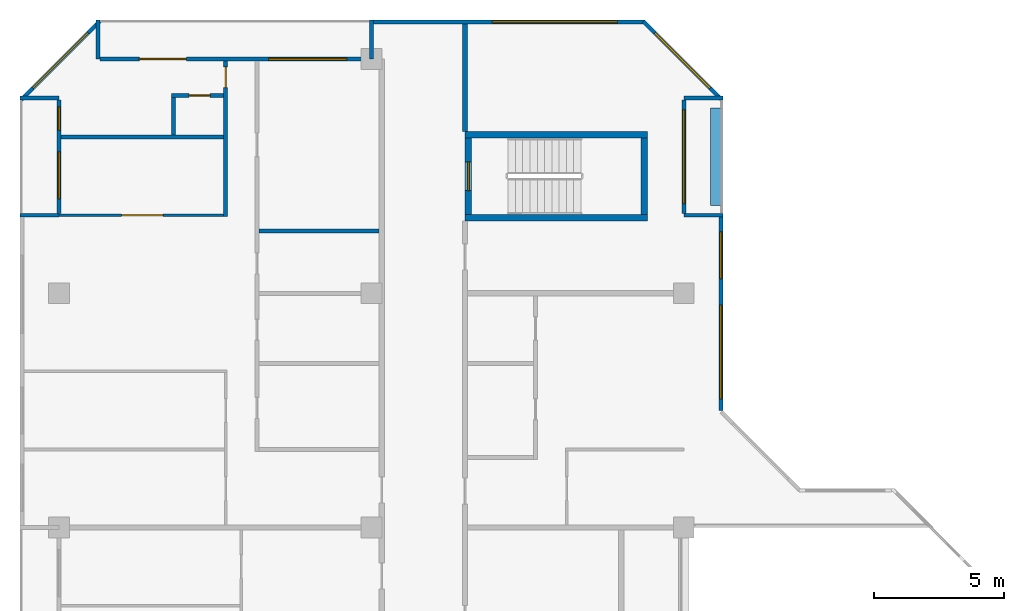
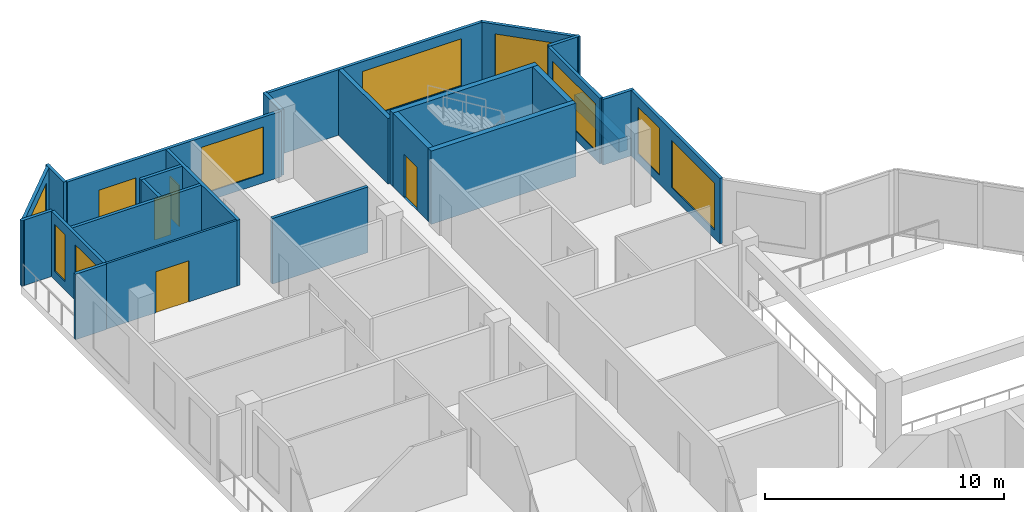
# One storey, part 10 of 13: 25 walls, 9 windows, 5 doors, 14 openings.
"""IFC4 building model written with IfcOpenShell, lengths in metres."""

from ifc_helpers import new_model, si_unit, direction, frame, frame_2d, origin, place, context, subcontext, project, spatial, rectangle, extrude, material, layer, layer_set, type_object, element, fill, save


model = new_model("IFC4")

# Units and contexts
model_context = context("Model", 3, precision=1e-05, world=origin(), true_north=direction((0.0, 1.0)))
body_context = subcontext(model_context, "Body", "Model", "MODEL_VIEW")
ifc_project = project(units=[si_unit("LENGTHUNIT", "METRE"), si_unit("AREAUNIT", "SQUARE_METRE"), si_unit("VOLUMEUNIT", "CUBIC_METRE"), si_unit("PLANEANGLEUNIT", "RADIAN"), si_unit("MASSUNIT", "GRAM", prefix="KILO")], contexts=[model_context])

# Site, building, storey
site_placement = place(None, origin())
site = spatial("IfcSite", under=ifc_project, at=site_placement, CompositionType="ELEMENT")
building_placement = place(site_placement, origin())
building = spatial("IfcBuilding", under=site, at=building_placement, Name="Chenar Terraces", CompositionType="ELEMENT")
storey_placement = place(building_placement, frame((0.0, 0.0, 277.14990234375)))
storey = spatial("IfcBuildingStorey", under=building, at=storey_placement, Name="L64", CompositionType="ELEMENT", Elevation=277.14990234375)

# Walls
ifc_material_1 = material(Name="Concrete C50/60", Category="concrete")
ifc_layer_1 = layer(ifc_material_1, 0.25)
ifc_layer_set_1 = layer_set([ifc_layer_1], Name="Concrete C50/60")
wall_type_1 = type_object("IfcWallType", Name="Core wall 250 Concrete C50/60", PredefinedType="SHEAR", material=ifc_layer_set_1)
for number, where, z_axis, x_axis, name in (
    (1, (15.60009765625, 47.89990234375, 0.0), (0.0, 0.0, 1.0), (1.0, 0.0, 0.0), "Core wall ST4_S L64"),
    (2, (15.60009765625, 51.10009765625, 0.0), (0.0, 0.0, 1.0), (1.0, 0.0, 0.0), "Core wall ST4_N L64"),
):
    element("IfcWall", number, at=place(storey_placement, frame(where, z_axis=z_axis, x_axis=x_axis)), inside=storey, type_object=wall_type_1, Name=name, PredefinedType="SHEAR", context=body_context, shape_type="SweptSolid", body=[
        extrude(rectangle(XDim=7.0, YDim=0.25, at=frame_2d((3.5, 0.0))), origin(), (0.0, 0.0, 1.0), 3.75),
    ])

# Wall, opening, door
wall_1_placement = place(storey_placement, frame((15.72509765625, 48.02490234375, 0.0), z_axis=(0.0, 0.0, 1.0), x_axis=(0.0, 1.0, 0.0)))
wall_1 = element("IfcWall", 3, at=wall_1_placement, inside=storey, type_object=wall_type_1, Name="Core wall ST4_W L64", PredefinedType="SHEAR", context=body_context, shape_type="SweptSolid", body=[
    extrude(rectangle(XDim=2.9501953125, YDim=0.25, at=frame_2d((1.47509765625, 0.0))), origin(), (0.0, 0.0, 1.0), 3.75),
])
opening_1_placement = place(wall_1_placement, frame((0.925048828125, 0.0, 0.0)))
opening_1 = element("IfcOpeningElement", 4, at=opening_1_placement, cuts=wall_1, Name="Opening DL64-C9", PredefinedType="OPENING", context=body_context, shape_type="SweptSolid", body=[
    extrude(rectangle(XDim=1.10009765625, YDim=2.199951171875, at=frame_2d((0.550048828125, 1.10009765625))), frame((0.0, 0.135009765625, 0.0), z_axis=(0.0, -1.0, 0.0), x_axis=(1.0, 0.0, 0.0)), (0.0, 0.0, 1.0), 0.27001953125),
])
ifc_material_2 = material(Name="Steel-framed fire-resisting door leaf", Category="steel")
door_type_1 = type_object("IfcDoorType", Name="Stair fire door FD60 1100 x 2200", OperationType="SINGLE_SWING_LEFT", PredefinedType="DOOR", material=ifc_material_2)
door_1_placement = place(opening_1_placement, frame((1.10009765625, 0.0, 0.0), z_axis=(0.0, 0.0, 1.0), x_axis=(-1.0, 0.0, 0.0)))
door_1 = element("IfcDoor", 5, at=door_1_placement, inside=storey, type_object=door_type_1, Name="Stair door DL64-C9", OperationType="SINGLE_SWING_RIGHT", OverallHeight=2.199951171875, OverallWidth=1.10009765625, PredefinedType="DOOR", context=body_context, shape_type="SweptSolid", body=[
    extrude(rectangle(XDim=1.10009765625, YDim=2.199951171875, at=frame_2d((0.550048828125, 1.10009765625))), frame((0.0, 0.02490234375, 0.0), z_axis=(0.0, -1.0, 0.0), x_axis=(1.0, 0.0, 0.0)), (0.0, 0.0, 1.0), 0.050048828125),
])
fill(opening_1, door_1)

# Walls
wall_2_placement = place(storey_placement, frame((22.47509765625, 48.02490234375, 0.0), z_axis=(0.0, 0.0, 1.0), x_axis=(0.0, 1.0, 0.0)))
element("IfcWall", 6, at=wall_2_placement, inside=storey, type_object=wall_type_1, Name="Core wall ST4_E L64", PredefinedType="SHEAR", context=body_context, shape_type="SweptSolid", body=[
    extrude(rectangle(XDim=2.9501953125, YDim=0.25, at=frame_2d((1.47509765625, 0.0))), origin(), (0.0, 0.0, 1.0), 3.75),
])
ifc_material_3 = material(Name="Gypsum board on steel studs with fire boards", Category="steel")
ifc_layer_2 = layer(ifc_material_3, 0.199951171875)
ifc_layer_set_2 = layer_set([ifc_layer_2], Name="Gypsum board on steel studs with fire boards")
wall_type_2 = type_object("IfcWallType", Name="Corridor wall 200", PredefinedType="PARTITIONING", material=ifc_layer_set_2)
wall_3_placement = place(storey_placement, frame((15.60009765625, 51.22509765625, 0.0), z_axis=(0.0, 0.0, 1.0), x_axis=(0.0, 1.0, 0.0)))
element("IfcWall", 7, at=wall_3_placement, inside=storey, type_object=wall_type_2, Name="Partition L64-031", PredefinedType="PARTITIONING", context=body_context, shape_type="SweptSolid", body=[
    extrude(rectangle(XDim=4.125, YDim=0.199951171875, at=frame_2d((2.0625, 0.0))), origin(), (0.0, 0.0, 1.0), 3.35009765625),
])

# Wall, openings, windows
ifc_material_4 = material(Name="Aluminium framed glazing", Category="aluminium")
ifc_layer_3 = layer(ifc_material_4, 0.14990234375)
ifc_layer_set_3 = layer_set([ifc_layer_3], Name="Aluminium framed glazing")
wall_type_3 = type_object("IfcWallType", Name="Glazed flush facade wall 150", PredefinedType="SOLIDWALL", material=ifc_layer_set_3)
wall_4_placement = place(storey_placement, frame((25.425048828125, 40.5, 0.0), z_axis=(0.0, 0.0, 1.0), x_axis=(0.0, 1.0, 0.0)))
wall_4 = element("IfcWall", 8, at=wall_4_placement, inside=storey, type_object=wall_type_3, Name="Glazed flush facade wall", PredefinedType="SOLIDWALL", context=body_context, shape_type="SweptSolid", body=[
    extrude(rectangle(XDim=7.425048828125, YDim=0.14990234375, at=frame_2d((3.71240234375, 0.0))), origin(), (0.0, 0.0, 1.0), 3.35009765625),
])
opening_2_placement = place(wall_4_placement, frame((0.449951171875, 0.0, 0.449951171875)))
opening_2 = element("IfcOpeningElement", 9, at=opening_2_placement, cuts=wall_4, Name="Opening W360x240", PredefinedType="OPENING", context=body_context, shape_type="SweptSolid", body=[
    extrude(rectangle(XDim=3.60009765625, YDim=2.39990234375, at=frame_2d((1.800048828125, 1.199951171875))), frame((0.0, 0.0849609375, 0.0), z_axis=(0.0, -1.0, 0.0), x_axis=(1.0, 0.0, 0.0)), (0.0, 0.0, 1.0), 0.169921875),
])
opening_3_placement = place(wall_4_placement, frame((5.0625, 0.0, 0.449951171875)))
opening_3 = element("IfcOpeningElement", 10, at=opening_3_placement, cuts=wall_4, Name="Opening W180x240", PredefinedType="OPENING", context=body_context, shape_type="SweptSolid", body=[
    extrude(rectangle(XDim=1.800048828125, YDim=2.39990234375, at=frame_2d((0.89990234375, 1.199951171875))), frame((0.0, 0.0849609375, 0.0), z_axis=(0.0, -1.0, 0.0), x_axis=(1.0, 0.0, 0.0)), (0.0, 0.0, 1.0), 0.169921875),
])
ifc_material_5 = material(Name="Low emissivity double glazing, aluminium frame", Category="aluminium")
window_type_1 = type_object("IfcWindowType", Name="Fixed light 1800 x 2400", PartitioningType="SINGLE_PANEL", PredefinedType="WINDOW", material=ifc_material_5)
window_1_placement = place(opening_3_placement, origin())
window_1 = element("IfcWindow", 11, at=window_1_placement, inside=storey, type_object=window_type_1, Name="Window", OverallHeight=2.39990234375, OverallWidth=1.800048828125, PartitioningType="SINGLE_PANEL", PredefinedType="WINDOW", context=body_context, shape_type="SweptSolid", body=[
    extrude(rectangle(XDim=1.800048828125, YDim=2.39990234375, at=frame_2d((0.89990234375, 1.199951171875))), frame((0.0, 0.030029296875, 0.0), z_axis=(0.0, -1.0, 0.0), x_axis=(1.0, 0.0, 0.0)), (0.0, 0.0, 1.0), 0.06005859375),
])
fill(opening_3, window_1)
ifc_material_6 = material(Name="Low emissivity double glazing, aluminium frame", Category="aluminium")
window_type_2 = type_object("IfcWindowType", Name="Fixed light 3600 x 2400", PartitioningType="SINGLE_PANEL", PredefinedType="WINDOW", material=ifc_material_6)
window_2_placement = place(opening_2_placement, origin())
window_2 = element("IfcWindow", 12, at=window_2_placement, inside=storey, type_object=window_type_2, Name="Window", OverallHeight=2.39990234375, OverallWidth=3.60009765625, PartitioningType="SINGLE_PANEL", PredefinedType="WINDOW", context=body_context, shape_type="SweptSolid", body=[
    extrude(rectangle(XDim=3.60009765625, YDim=2.39990234375, at=frame_2d((1.800048828125, 1.199951171875))), frame((0.0, 0.030029296875, 0.0), z_axis=(0.0, -1.0, 0.0), x_axis=(1.0, 0.0, 0.0)), (0.0, 0.0, 1.0), 0.06005859375),
])
fill(opening_2, window_2)

# Wall, opening, window
wall_5_placement = place(storey_placement, frame((22.5, 55.425048828125, 0.0), z_axis=(0.0, 0.0, 1.0), x_axis=(-1.0, 0.0, 0.0)))
wall_5 = element("IfcWall", 13, at=wall_5_placement, inside=storey, type_object=wall_type_3, Name="Glazed flush facade wall", PredefinedType="SOLIDWALL", context=body_context, shape_type="SweptSolid", body=[
    extrude(rectangle(XDim=10.425048828125, YDim=0.14990234375, at=frame_2d((5.21240234375, 0.0))), origin(), (0.0, 0.0, 1.0), 3.35009765625),
])
opening_4_placement = place(wall_5_placement, frame((1.050048828125, 0.0, 0.449951171875)))
opening_4 = element("IfcOpeningElement", 14, at=opening_4_placement, cuts=wall_5, Name="Opening W480x240", PredefinedType="OPENING", context=body_context, shape_type="SweptSolid", body=[
    extrude(rectangle(XDim=4.800048828125, YDim=2.39990234375, at=frame_2d((2.39990234375, 1.199951171875))), frame((0.0, 0.0849609375, 0.0), z_axis=(0.0, -1.0, 0.0), x_axis=(1.0, 0.0, 0.0)), (0.0, 0.0, 1.0), 0.169921875),
])
ifc_material_7 = material(Name="Low emissivity double glazing, aluminium frame", Category="aluminium")
window_type_3 = type_object("IfcWindowType", Name="Fixed light 4800 x 2400", PartitioningType="SINGLE_PANEL", PredefinedType="WINDOW", material=ifc_material_7)
window_3_placement = place(opening_4_placement, origin())
window_3 = element("IfcWindow", 15, at=window_3_placement, inside=storey, type_object=window_type_3, Name="Window", OverallHeight=2.39990234375, OverallWidth=4.800048828125, PartitioningType="SINGLE_PANEL", PredefinedType="WINDOW", context=body_context, shape_type="SweptSolid", body=[
    extrude(rectangle(XDim=4.800048828125, YDim=2.39990234375, at=frame_2d((2.39990234375, 1.199951171875))), frame((0.0, 0.030029296875, 0.0), z_axis=(0.0, -1.0, 0.0), x_axis=(1.0, 0.0, 0.0)), (0.0, 0.0, 1.0), 0.06005859375),
])
fill(opening_4, window_3)

ifc_material_8 = material(Name="Aluminium framed glazing", Category="aluminium")
ifc_layer_4 = layer(ifc_material_8, 0.14990234375)
ifc_layer_set_4 = layer_set([ifc_layer_4], Name="Aluminium framed glazing")
wall_type_4 = type_object("IfcWallType", Name="Glazed loggia back wall 150", PredefinedType="SOLIDWALL", material=ifc_layer_set_4)
wall_6_placement = place(storey_placement, frame((24.0, 48.074951171875, 0.0), z_axis=(0.0, 0.0, 1.0), x_axis=(0.0, 1.0, 0.0)))
wall_6 = element("IfcWall", 16, at=wall_6_placement, inside=storey, type_object=wall_type_4, Name="Glazed loggia back wall", PredefinedType="SOLIDWALL", context=body_context, shape_type="SweptSolid", body=[
    extrude(rectangle(XDim=4.35009765625, YDim=0.14990234375, at=frame_2d((2.175048828125, 0.0))), origin(), (0.0, 0.0, 1.0), 3.35009765625),
])
opening_5_placement = place(wall_6_placement, frame((0.375, 0.0, 0.449951171875)))
opening_5 = element("IfcOpeningElement", 17, at=opening_5_placement, cuts=wall_6, Name="Opening W360x240", PredefinedType="OPENING", context=body_context, shape_type="SweptSolid", body=[
    extrude(rectangle(XDim=3.60009765625, YDim=2.39990234375, at=frame_2d((1.800048828125, 1.199951171875))), frame((0.0, 0.0849609375, 0.0), z_axis=(0.0, -1.0, 0.0), x_axis=(1.0, 0.0, 0.0)), (0.0, 0.0, 1.0), 0.169921875),
])
window_4_placement = place(opening_5_placement, origin())
window_4 = element("IfcWindow", 18, at=window_4_placement, inside=storey, type_object=window_type_2, Name="Window", OverallHeight=2.39990234375, OverallWidth=3.60009765625, PartitioningType="SINGLE_PANEL", PredefinedType="WINDOW", context=body_context, shape_type="SweptSolid", body=[
    extrude(rectangle(XDim=3.60009765625, YDim=2.39990234375, at=frame_2d((1.800048828125, 1.199951171875))), frame((0.0, 0.030029296875, 0.0), z_axis=(0.0, -1.0, 0.0), x_axis=(1.0, 0.0, 0.0)), (0.0, 0.0, 1.0), 0.06005859375),
])
fill(opening_5, window_4)

# Wall, openings, window, door
wall_7_placement = place(storey_placement, frame((11.925048828125, 54.0, 0.0), z_axis=(0.0, 0.0, 1.0), x_axis=(-1.0, 0.0, 0.0)))
wall_7 = element("IfcWall", 19, at=wall_7_placement, inside=storey, type_object=wall_type_4, Name="Glazed loggia back wall", PredefinedType="SOLIDWALL", context=body_context, shape_type="SweptSolid", body=[
    extrude(rectangle(XDim=10.35009765625, YDim=0.14990234375, at=frame_2d((5.175048828125, 0.0))), origin(), (0.0, 0.0, 1.0), 3.35009765625),
])
opening_6_placement = place(wall_7_placement, frame((0.875, 0.0, 0.449951171875)))
opening_6 = element("IfcOpeningElement", 20, at=opening_6_placement, cuts=wall_7, Name="Opening W300x240", PredefinedType="OPENING", context=body_context, shape_type="SweptSolid", body=[
    extrude(rectangle(XDim=3.0, YDim=2.39990234375, at=frame_2d((1.5, 1.199951171875))), frame((0.0, 0.0849609375, 0.0), z_axis=(0.0, -1.0, 0.0), x_axis=(1.0, 0.0, 0.0)), (0.0, 0.0, 1.0), 0.169921875),
])
opening_7_placement = place(wall_7_placement, frame((7.03759765625, 0.0, 0.0)))
opening_7 = element("IfcOpeningElement", 21, at=opening_7_placement, cuts=wall_7, Name="Opening DL64-G2", PredefinedType="OPENING", context=body_context, shape_type="SweptSolid", body=[
    extrude(rectangle(XDim=1.800048828125, YDim=2.39990234375, at=frame_2d((0.89990234375, 1.199951171875))), frame((0.0, 0.0849609375, 0.0), z_axis=(0.0, -1.0, 0.0), x_axis=(1.0, 0.0, 0.0)), (0.0, 0.0, 1.0), 0.169921875),
])
ifc_material_9 = material(Name="Low emissivity double glazing, aluminium frame", Category="aluminium")
window_type_4 = type_object("IfcWindowType", Name="Fixed light 3000 x 2400", PartitioningType="SINGLE_PANEL", PredefinedType="WINDOW", material=ifc_material_9)
window_5_placement = place(opening_6_placement, origin())
window_5 = element("IfcWindow", 22, at=window_5_placement, inside=storey, type_object=window_type_4, Name="Window", OverallHeight=2.39990234375, OverallWidth=3.0, PartitioningType="SINGLE_PANEL", PredefinedType="WINDOW", context=body_context, shape_type="SweptSolid", body=[
    extrude(rectangle(XDim=3.0, YDim=2.39990234375, at=frame_2d((1.5, 1.199951171875))), frame((0.0, 0.030029296875, 0.0), z_axis=(0.0, -1.0, 0.0), x_axis=(1.0, 0.0, 0.0)), (0.0, 0.0, 1.0), 0.06005859375),
])
fill(opening_6, window_5)
ifc_material_10 = material(Name="Low emissivity double glazing, aluminium frame", Category="aluminium")
door_type_2 = type_object("IfcDoorType", Name="Loggia glazed double door 1800 x 2400", OperationType="DOUBLE_DOOR_SINGLE_SWING", PredefinedType="DOOR", material=ifc_material_10)
door_2_placement = place(opening_7_placement, frame((1.800048828125, 0.0, 0.0), z_axis=(0.0, 0.0, 1.0), x_axis=(-1.0, 0.0, 0.0)))
door_2 = element("IfcDoor", 23, at=door_2_placement, inside=storey, type_object=door_type_2, Name="Loggia glazed door", OperationType="DOUBLE_DOOR_SINGLE_SWING", OverallHeight=2.39990234375, OverallWidth=1.800048828125, PredefinedType="DOOR", context=body_context, shape_type="SweptSolid", body=[
    extrude(rectangle(XDim=1.800048828125, YDim=2.39990234375, at=frame_2d((0.89990234375, 1.199951171875))), frame((0.0, 0.02490234375, 0.0), z_axis=(0.0, -1.0, 0.0), x_axis=(1.0, 0.0, 0.0)), (0.0, 0.0, 1.0), 0.050048828125),
])
fill(opening_7, door_2)

# Wall, openings, windows
wall_8_placement = place(storey_placement, frame((0.0, 52.425048828125, 0.0), z_axis=(0.0, 0.0, 1.0), x_axis=(0.0, -1.0, 0.0)))
wall_8 = element("IfcWall", 24, at=wall_8_placement, inside=storey, type_object=wall_type_4, Name="Glazed loggia back wall", PredefinedType="SOLIDWALL", context=body_context, shape_type="SweptSolid", body=[
    extrude(rectangle(XDim=4.35009765625, YDim=0.14990234375, at=frame_2d((2.175048828125, 0.0))), origin(), (0.0, 0.0, 1.0), 3.35009765625),
])
opening_8_placement = place(wall_8_placement, frame((0.262451171875, 0.0, 0.449951171875)))
opening_8 = element("IfcOpeningElement", 25, at=opening_8_placement, cuts=wall_8, Name="Opening W90x240", PredefinedType="OPENING", context=body_context, shape_type="SweptSolid", body=[
    extrude(rectangle(XDim=0.89990234375, YDim=2.39990234375, at=frame_2d((0.449951171875, 1.199951171875))), frame((0.0, 0.0849609375, 0.0), z_axis=(0.0, -1.0, 0.0), x_axis=(1.0, 0.0, 0.0)), (0.0, 0.0, 1.0), 0.169921875),
])
opening_9_placement = place(wall_8_placement, frame((1.987548828125, 0.0, 0.449951171875)))
opening_9 = element("IfcOpeningElement", 26, at=opening_9_placement, cuts=wall_8, Name="Opening W180x240", PredefinedType="OPENING", context=body_context, shape_type="SweptSolid", body=[
    extrude(rectangle(XDim=1.800048828125, YDim=2.39990234375, at=frame_2d((0.89990234375, 1.199951171875))), frame((0.0, 0.0849609375, 0.0), z_axis=(0.0, -1.0, 0.0), x_axis=(1.0, 0.0, 0.0)), (0.0, 0.0, 1.0), 0.169921875),
])
window_6_placement = place(opening_9_placement, origin())
window_6 = element("IfcWindow", 27, at=window_6_placement, inside=storey, type_object=window_type_1, Name="Window", OverallHeight=2.39990234375, OverallWidth=1.800048828125, PartitioningType="SINGLE_PANEL", PredefinedType="WINDOW", context=body_context, shape_type="SweptSolid", body=[
    extrude(rectangle(XDim=1.800048828125, YDim=2.39990234375, at=frame_2d((0.89990234375, 1.199951171875))), frame((0.0, 0.030029296875, 0.0), z_axis=(0.0, -1.0, 0.0), x_axis=(1.0, 0.0, 0.0)), (0.0, 0.0, 1.0), 0.06005859375),
])
fill(opening_9, window_6)
ifc_material_11 = material(Name="Low emissivity double glazing, aluminium frame", Category="aluminium")
window_type_5 = type_object("IfcWindowType", Name="Fixed light 900 x 2400", PartitioningType="SINGLE_PANEL", PredefinedType="WINDOW", material=ifc_material_11)
window_7_placement = place(opening_8_placement, origin())
window_7 = element("IfcWindow", 28, at=window_7_placement, inside=storey, type_object=window_type_5, Name="Window", OverallHeight=2.39990234375, OverallWidth=0.89990234375, PartitioningType="SINGLE_PANEL", PredefinedType="WINDOW", context=body_context, shape_type="SweptSolid", body=[
    extrude(rectangle(XDim=0.89990234375, YDim=2.39990234375, at=frame_2d((0.449951171875, 1.199951171875))), frame((0.0, 0.030029296875, 0.0), z_axis=(0.0, -1.0, 0.0), x_axis=(1.0, 0.0, 0.0)), (0.0, 0.0, 1.0), 0.06005859375),
])
fill(opening_8, window_7)

# Wall, opening, door
ifc_material_12 = material(Name="Gypsum board on steel studs", Category="steel")
ifc_layer_5 = layer(ifc_material_12, 0.10009765625)
ifc_layer_set_5 = layer_set([ifc_layer_5], Name="Gypsum board on steel studs")
wall_type_5 = type_object("IfcWallType", Name="Gypsum partition 100", PredefinedType="PARTITIONING", material=ifc_layer_set_5)
wall_9_placement = place(storey_placement, frame((0.0, 48.0, 0.0), z_axis=(0.0, 0.0, 1.0), x_axis=(1.0, 0.0, 0.0)))
wall_9 = element("IfcWall", 29, at=wall_9_placement, inside=storey, type_object=wall_type_5, Name="Partition L64-006", PredefinedType="PARTITIONING", context=body_context, shape_type="SweptSolid", body=[
    extrude(rectangle(XDim=6.324951171875, YDim=0.10009765625, at=frame_2d((3.16259765625, 0.0))), origin(), (0.0, 0.0, 1.0), 3.35009765625),
])
opening_10_placement = place(wall_9_placement, frame((2.39990234375, 0.0, 0.0)))
opening_10 = element("IfcOpeningElement", 30, at=opening_10_placement, cuts=wall_9, Name="Opening DL64-26", PredefinedType="OPENING", context=body_context, shape_type="SweptSolid", body=[
    extrude(rectangle(XDim=1.60009765625, YDim=2.10009765625, at=frame_2d((0.800048828125, 1.050048828125))), frame((0.0, 0.06005859375, 0.0), z_axis=(0.0, -1.0, 0.0), x_axis=(1.0, 0.0, 0.0)), (0.0, 0.0, 1.0), 0.1201171875),
])
ifc_material_13 = material(Name="Veneered timber door leaf", Category="wood")
door_type_3 = type_object("IfcDoorType", Name="Double door 1600 x 2100", OperationType="DOUBLE_DOOR_SINGLE_SWING", PredefinedType="DOOR", material=ifc_material_13)
door_3_placement = place(opening_10_placement, origin())
door_3 = element("IfcDoor", 31, at=door_3_placement, inside=storey, type_object=door_type_3, Name="Door DL64-26", OperationType="DOUBLE_DOOR_SINGLE_SWING", OverallHeight=2.10009765625, OverallWidth=1.60009765625, PredefinedType="DOOR", context=body_context, shape_type="SweptSolid", body=[
    extrude(rectangle(XDim=1.60009765625, YDim=2.10009765625, at=frame_2d((0.800048828125, 1.050048828125))), frame((0.0, 0.02490234375, 0.0), z_axis=(0.0, -1.0, 0.0), x_axis=(1.0, 0.0, 0.0)), (0.0, 0.0, 1.0), 0.050048828125),
])
fill(opening_10, door_3)

# Walls
ifc_material_14 = material(Name="Terracotta cladding on insulated backing", Category="masonry")
ifc_layer_6 = layer(ifc_material_14, 0.14990234375)
ifc_layer_set_6 = layer_set([ifc_layer_6], Name="Terracotta cladding on insulated backing")
wall_type_6 = type_object("IfcWallType", Name="Loggia return wall 150", PredefinedType="SOLIDWALL", material=ifc_layer_set_6)
for number, where, z_axis, x_axis, name in (
    (32, (25.5, 48.0, 0.0), (0.0, 0.0, 1.0), (-1.0, 0.0, 0.0), "Loggia return wall"),
    (33, (25.5, 52.5, 0.0), (0.0, 0.0, 1.0), (-1.0, 0.0, 0.0), "Loggia return wall"),
    (34, (12.0, 55.5, 0.0), (0.0, 0.0, 1.0), (0.0, -1.0, 0.0), "Loggia return wall"),
    (35, (1.5, 55.5, 0.0), (0.0, 0.0, 1.0), (0.0, -1.0, 0.0), "Loggia return wall"),
    (36, (-1.5, 52.5, 0.0), (0.0, 0.0, 1.0), (1.0, 0.0, 0.0), "Loggia return wall"),
    (37, (-1.5, 48.0, 0.0), (0.0, 0.0, 1.0), (1.0, 0.0, 0.0), "Loggia return wall"),
):
    element("IfcWall", number, at=place(storey_placement, frame(where, z_axis=z_axis, x_axis=x_axis)), inside=storey, type_object=wall_type_6, Name=name, PredefinedType="SOLIDWALL", context=body_context, shape_type="SweptSolid", body=[
        extrude(rectangle(XDim=1.5, YDim=0.14990234375, at=frame_2d((0.75, 0.0))), origin(), (0.0, 0.0, 1.0), 3.35009765625),
    ])

# Wall, opening, window
ifc_material_15 = material(Name="Terracotta cladding on insulated backing", Category="masonry")
ifc_layer_7 = layer(ifc_material_15, 0.14990234375)
ifc_layer_set_7 = layer_set([ifc_layer_7], Name="Terracotta cladding on insulated backing")
wall_type_7 = type_object("IfcWallType", Name="Terracotta rainscreen wall 150", PredefinedType="SOLIDWALL", material=ifc_layer_set_7)
wall_10_placement = place(storey_placement, frame((25.447021484375, 52.447021484375, 0.0), z_axis=(0.0, 0.0, 1.0), x_axis=(-0.707106781187, 0.707106781187, 0.0)))
wall_10 = element("IfcWall", 38, at=wall_10_placement, inside=storey, type_object=wall_type_7, Name="Terracotta rainscreen wall", PredefinedType="SOLIDWALL", context=body_context, shape_type="SweptSolid", body=[
    extrude(rectangle(XDim=4.24267578125, YDim=0.14990234375, at=frame_2d((2.121337890625, 0.0))), origin(), (0.0, 0.0, 1.0), 3.35009765625),
])
opening_11_placement = place(wall_10_placement, frame((0.621337890625, 0.0, 0.449951171875)))
opening_11 = element("IfcOpeningElement", 39, at=opening_11_placement, cuts=wall_10, Name="Opening W300x240", PredefinedType="OPENING", context=body_context, shape_type="SweptSolid", body=[
    extrude(rectangle(XDim=3.0, YDim=2.39990234375, at=frame_2d((1.5, 1.199951171875))), frame((0.0, 0.0849609375, 0.0), z_axis=(0.0, -1.0, 0.0), x_axis=(1.0, 0.0, 0.0)), (0.0, 0.0, 1.0), 0.169921875),
])
window_8_placement = place(opening_11_placement, origin())
window_8 = element("IfcWindow", 40, at=window_8_placement, inside=storey, type_object=window_type_4, Name="Window", OverallHeight=2.39990234375, OverallWidth=3.0, PartitioningType="SINGLE_PANEL", PredefinedType="WINDOW", context=body_context, shape_type="SweptSolid", body=[
    extrude(rectangle(XDim=3.0, YDim=2.39990234375, at=frame_2d((1.5, 1.199951171875))), frame((0.0, 0.030029296875, 0.0), z_axis=(0.0, -1.0, 0.0), x_axis=(1.0, 0.0, 0.0)), (0.0, 0.0, 1.0), 0.06005859375),
])
fill(opening_11, window_8)

wall_11_placement = place(storey_placement, frame((1.552978515625, 55.447021484375, 0.0), z_axis=(0.0, 0.0, 1.0), x_axis=(-0.707106781187, -0.707106781187, 0.0)))
wall_11 = element("IfcWall", 41, at=wall_11_placement, inside=storey, type_object=wall_type_7, Name="Terracotta rainscreen wall", PredefinedType="SOLIDWALL", context=body_context, shape_type="SweptSolid", body=[
    extrude(rectangle(XDim=4.24267578125, YDim=0.14990234375, at=frame_2d((2.121337890625, 0.0))), origin(), (0.0, 0.0, 1.0), 3.35009765625),
])
opening_12_placement = place(wall_11_placement, frame((0.621337890625, 0.0, 0.449951171875)))
opening_12 = element("IfcOpeningElement", 42, at=opening_12_placement, cuts=wall_11, Name="Opening W300x240", PredefinedType="OPENING", context=body_context, shape_type="SweptSolid", body=[
    extrude(rectangle(XDim=3.0, YDim=2.39990234375, at=frame_2d((1.5, 1.199951171875))), frame((0.0, 0.0849609375, 0.0), z_axis=(0.0, -1.0, 0.0), x_axis=(1.0, 0.0, 0.0)), (0.0, 0.0, 1.0), 0.169921875),
])
window_9_placement = place(opening_12_placement, origin())
window_9 = element("IfcWindow", 43, at=window_9_placement, inside=storey, type_object=window_type_4, Name="Window", OverallHeight=2.39990234375, OverallWidth=3.0, PartitioningType="SINGLE_PANEL", PredefinedType="WINDOW", context=body_context, shape_type="SweptSolid", body=[
    extrude(rectangle(XDim=3.0, YDim=2.39990234375, at=frame_2d((1.5, 1.199951171875))), frame((0.0, 0.030029296875, 0.0), z_axis=(0.0, -1.0, 0.0), x_axis=(1.0, 0.0, 0.0)), (0.0, 0.0, 1.0), 0.06005859375),
])
fill(opening_12, window_9)

# Walls
ifc_material_16 = material(Name="GRP planter trough")
ifc_layer_8 = layer(ifc_material_16, 0.39990234375)
ifc_layer_set_8 = layer_set([ifc_layer_8], Name="GRP planter trough")
wall_type_8 = type_object("IfcWallType", Name="Vertical greenery planter 400", PredefinedType="SOLIDWALL", material=ifc_layer_set_8)
wall_12_placement = place(storey_placement, frame((25.22900390625, 48.375, 0.0), z_axis=(0.0, 0.0, 1.0), x_axis=(0.0, 1.0, 0.0)))
element("IfcWall", 44, at=wall_12_placement, inside=storey, type_object=wall_type_8, Name="Vertical greenery planter", PredefinedType="SOLIDWALL", context=body_context, shape_type="SweptSolid", body=[
    extrude(rectangle(XDim=3.75, YDim=0.39990234375, at=frame_2d((1.875, 0.0))), origin(), (0.0, 0.0, 1.0), 0.7001953125),
])
ifc_material_17 = material(Name="Moisture-resistant gypsum board on steel studs", Category="steel")
ifc_layer_9 = layer(ifc_material_17, 0.14990234375)
ifc_layer_set_9 = layer_set([ifc_layer_9], Name="Moisture-resistant gypsum board on steel studs")
wall_type_9 = type_object("IfcWallType", Name="Wet-room partition 150", PredefinedType="PARTITIONING", material=ifc_layer_set_9)
wall_13_placement = place(storey_placement, frame((0.073974609375, 51.0, 0.0), z_axis=(0.0, 0.0, 1.0), x_axis=(1.0, 0.0, 0.0)))
element("IfcWall", 45, at=wall_13_placement, inside=storey, type_object=wall_type_9, Name="Partition L64-009", PredefinedType="PARTITIONING", context=body_context, shape_type="SweptSolid", body=[
    extrude(rectangle(XDim=6.2509765625, YDim=0.14990234375, at=frame_2d((3.12548828125, 0.0))), origin(), (0.0, 0.0, 1.0), 3.35009765625),
])

# Wall, opening, door
wall_14_placement = place(storey_placement, frame((4.324951171875, 52.60009765625, 0.0), z_axis=(0.0, 0.0, 1.0), x_axis=(1.0, 0.0, 0.0)))
wall_14 = element("IfcWall", 46, at=wall_14_placement, inside=storey, type_object=wall_type_9, Name="Partition L64-011", PredefinedType="PARTITIONING", context=body_context, shape_type="SweptSolid", body=[
    extrude(rectangle(XDim=2.0, YDim=0.14990234375, at=frame_2d((1.0, 0.0))), origin(), (0.0, 0.0, 1.0), 3.35009765625),
])
opening_13_placement = place(wall_14_placement, frame((0.675048828125, 0.0, 0.0)))
opening_13 = element("IfcOpeningElement", 47, at=opening_13_placement, cuts=wall_14, Name="Opening DL64-25", PredefinedType="OPENING", context=body_context, shape_type="SweptSolid", body=[
    extrude(rectangle(XDim=0.800048828125, YDim=2.10009765625, at=frame_2d((0.39990234375, 1.050048828125))), frame((0.0, 0.0849609375, 0.0), z_axis=(0.0, -1.0, 0.0), x_axis=(1.0, 0.0, 0.0)), (0.0, 0.0, 1.0), 0.169921875),
])
ifc_material_18 = material(Name="Veneered timber door leaf", Category="wood")
door_type_4 = type_object("IfcDoorType", Name="Door 800 x 2100", OperationType="SINGLE_SWING_LEFT", PredefinedType="DOOR", material=ifc_material_18)
door_4_placement = place(opening_13_placement, frame((0.800048828125, 0.0, 0.0), z_axis=(0.0, 0.0, 1.0), x_axis=(-1.0, 0.0, 0.0)))
door_4 = element("IfcDoor", 48, at=door_4_placement, inside=storey, type_object=door_type_4, Name="Door DL64-25", OperationType="SINGLE_SWING_RIGHT", OverallHeight=2.10009765625, OverallWidth=0.800048828125, PredefinedType="DOOR", context=body_context, shape_type="SweptSolid", body=[
    extrude(rectangle(XDim=0.800048828125, YDim=2.10009765625, at=frame_2d((0.39990234375, 1.050048828125))), frame((0.0, 0.02490234375, 0.0), z_axis=(0.0, -1.0, 0.0), x_axis=(1.0, 0.0, 0.0)), (0.0, 0.0, 1.0), 0.050048828125),
])
fill(opening_13, door_4)

# Wall
wall_15_placement = place(storey_placement, frame((4.39990234375, 51.074951171875, 0.0), z_axis=(0.0, 0.0, 1.0), x_axis=(0.0, 1.0, 0.0)))
element("IfcWall", 49, at=wall_15_placement, inside=storey, type_object=wall_type_9, Name="Partition L64-012", PredefinedType="PARTITIONING", context=body_context, shape_type="SweptSolid", body=[
    extrude(rectangle(XDim=1.449951171875, YDim=0.14990234375, at=frame_2d((0.72509765625, 0.0))), origin(), (0.0, 0.0, 1.0), 3.35009765625),
])

# Wall, opening, door
wall_16_placement = place(storey_placement, frame((6.39990234375, 47.949951171875, 0.0), z_axis=(0.0, 0.0, 1.0), x_axis=(0.0, 1.0, 0.0)))
wall_16 = element("IfcWall", 50, at=wall_16_placement, inside=storey, type_object=wall_type_9, Name="Partition L64-014", PredefinedType="PARTITIONING", context=body_context, shape_type="SweptSolid", body=[
    extrude(rectangle(XDim=5.97607421875, YDim=0.14990234375, at=frame_2d((2.988037109375, 0.0))), origin(), (0.0, 0.0, 1.0), 3.35009765625),
])
opening_14_placement = place(wall_16_placement, frame((4.949951171875, 0.0, 0.0)))
opening_14 = element("IfcOpeningElement", 51, at=opening_14_placement, cuts=wall_16, Name="Opening DL64-24", PredefinedType="OPENING", context=body_context, shape_type="SweptSolid", body=[
    extrude(rectangle(XDim=0.800048828125, YDim=2.10009765625, at=frame_2d((0.39990234375, 1.050048828125))), frame((0.0, 0.0849609375, 0.0), z_axis=(0.0, -1.0, 0.0), x_axis=(1.0, 0.0, 0.0)), (0.0, 0.0, 1.0), 0.169921875),
])
door_5_placement = place(opening_14_placement, origin())
door_5 = element("IfcDoor", 52, at=door_5_placement, inside=storey, type_object=door_type_4, Name="Door DL64-24", OperationType="SINGLE_SWING_RIGHT", OverallHeight=2.10009765625, OverallWidth=0.800048828125, PredefinedType="DOOR", context=body_context, shape_type="SweptSolid", body=[
    extrude(rectangle(XDim=0.800048828125, YDim=2.10009765625, at=frame_2d((0.39990234375, 1.050048828125))), frame((0.0, 0.02490234375, 0.0), z_axis=(0.0, -1.0, 0.0), x_axis=(1.0, 0.0, 0.0)), (0.0, 0.0, 1.0), 0.050048828125),
])
fill(opening_14, door_5)

# Wall
wall_17_placement = place(storey_placement, frame((7.675048828125, 47.39990234375, 0.0), z_axis=(0.0, 0.0, 1.0), x_axis=(1.0, 0.0, 0.0)))
element("IfcWall", 53, at=wall_17_placement, inside=storey, type_object=wall_type_9, Name="Partition L64-020", PredefinedType="PARTITIONING", context=body_context, shape_type="SweptSolid", body=[
    extrude(rectangle(XDim=4.625, YDim=0.14990234375, at=frame_2d((2.3125, 0.0))), origin(), (0.0, 0.0, 1.0), 3.35009765625),
])

save(model, "model.ifc")
